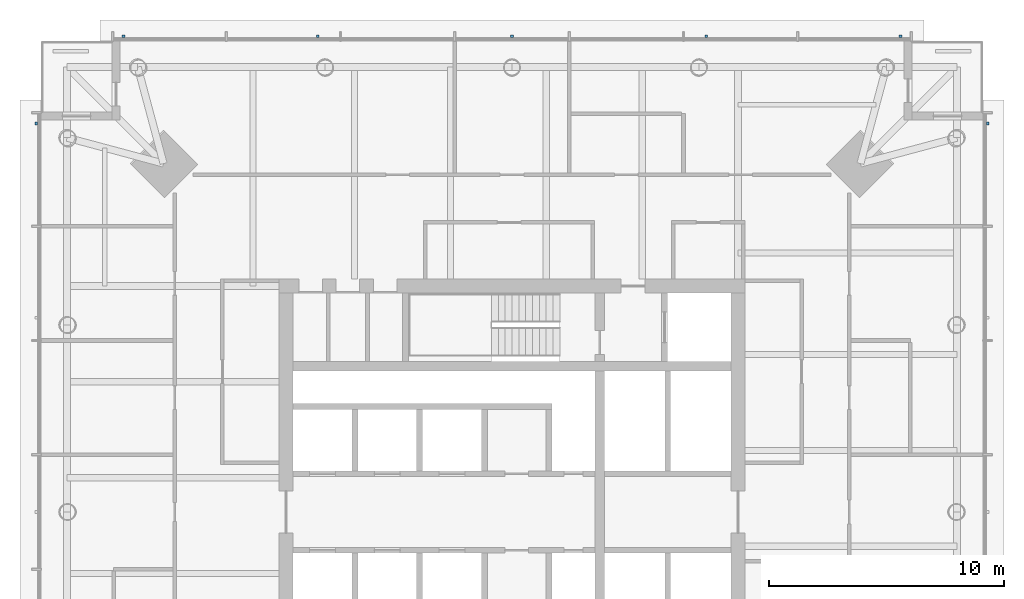
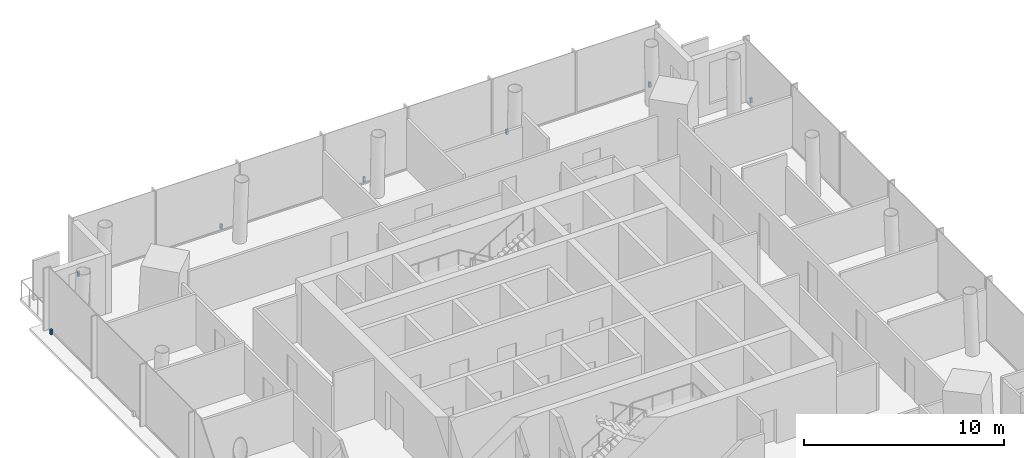
# One storey, part 9 of 10: 7 discrete accessories.
"""IFC4 building model written with IfcOpenShell, lengths in metres."""

from ifc_helpers import new_model, si_unit, direction, frame, origin, origin_2d, place, context, subcontext, project, spatial, rectangle, extrude, material, type_object, element, save


model = new_model("IFC4")

# Units and contexts
model_context = context("Model", 3, precision=1e-05, world=origin(), true_north=direction((0.0, 1.0)))
body_context = subcontext(model_context, "Body", "Model", "MODEL_VIEW")
ifc_project = project(units=[si_unit("LENGTHUNIT", "METRE"), si_unit("AREAUNIT", "SQUARE_METRE"), si_unit("VOLUMEUNIT", "CUBIC_METRE"), si_unit("PLANEANGLEUNIT", "RADIAN"), si_unit("MASSUNIT", "GRAM", prefix="KILO")], contexts=[model_context])

# Site, building, storey
site_placement = place(None, origin())
site = spatial("IfcSite", under=ifc_project, at=site_placement, CompositionType="ELEMENT")
building_placement = place(site_placement, origin())
building = spatial("IfcBuilding", under=site, at=building_placement, Name="Ostroluk Exchange", CompositionType="ELEMENT")
storey_placement = place(building_placement, frame((0.0, 0.0, 180.60009765625)))
storey = spatial("IfcBuildingStorey", under=building, at=storey_placement, Name="L46", CompositionType="ELEMENT", Elevation=180.60009765625)

# Discrete accessories
ifc_material = material(Name="Stainless steel", Category="steel")
discrete_accessory_type = type_object("IfcDiscreteAccessoryType", Name="Fall-arrest anchor PN-EN 795 type C", PredefinedType="USERDEFINED", material=ifc_material)
for number, where, z_axis, x_axis, name in (
    (1, (65.2099609375, 62.5, 0.0), (0.0, 0.0, 1.0), (1.0, 0.0, 0.0), "Fall-arrest anchor L46 east 5"),
    (2, (28.5, 66.2099609375, 0.0), (0.0, 0.0, 1.0), (1.0, 0.0, 0.0), "Fall-arrest anchor L46 north 1"),
    (3, (36.75, 66.2099609375, 0.0), (0.0, 0.0, 1.0), (1.0, 0.0, 0.0), "Fall-arrest anchor L46 north 2"),
    (4, (45.0, 66.2099609375, 0.0), (0.0, 0.0, 1.0), (1.0, 0.0, 0.0), "Fall-arrest anchor L46 north 3"),
    (5, (53.25, 66.2099609375, 0.0), (0.0, 0.0, 1.0), (1.0, 0.0, 0.0), "Fall-arrest anchor L46 north 4"),
    (6, (61.5, 66.2099609375, 0.0), (0.0, 0.0, 1.0), (1.0, 0.0, 0.0), "Fall-arrest anchor L46 north 5"),
    (7, (24.7900390625, 62.5, 0.0), (0.0, 0.0, 1.0), (1.0, 0.0, 0.0), "Fall-arrest anchor L46 west 5"),
):
    element("IfcDiscreteAccessory", number, at=place(storey_placement, frame(where, z_axis=z_axis, x_axis=x_axis)), inside=storey, type_object=discrete_accessory_type, Name=name, ObjectType="FALL ARREST ANCHOR", PredefinedType="USERDEFINED", context=body_context, shape_type="SweptSolid", body=[
        extrude(rectangle(XDim=0.1201171875, YDim=0.1201171875, at=origin_2d()), origin(), (0.0, 0.0, 1.0), 0.300048828125),
    ])

save(model, "model.ifc")
